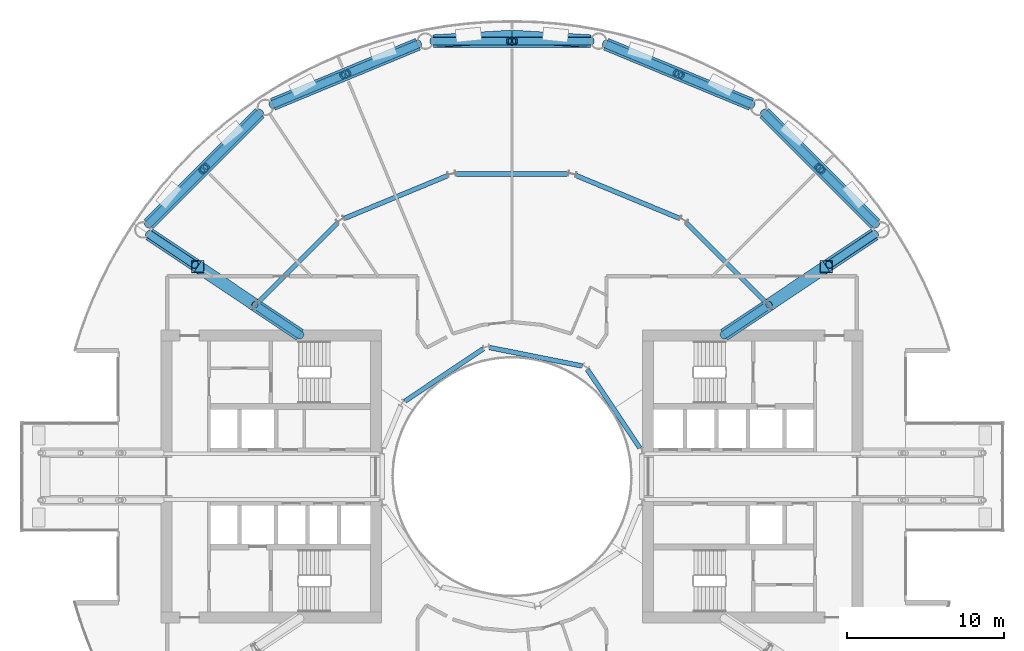
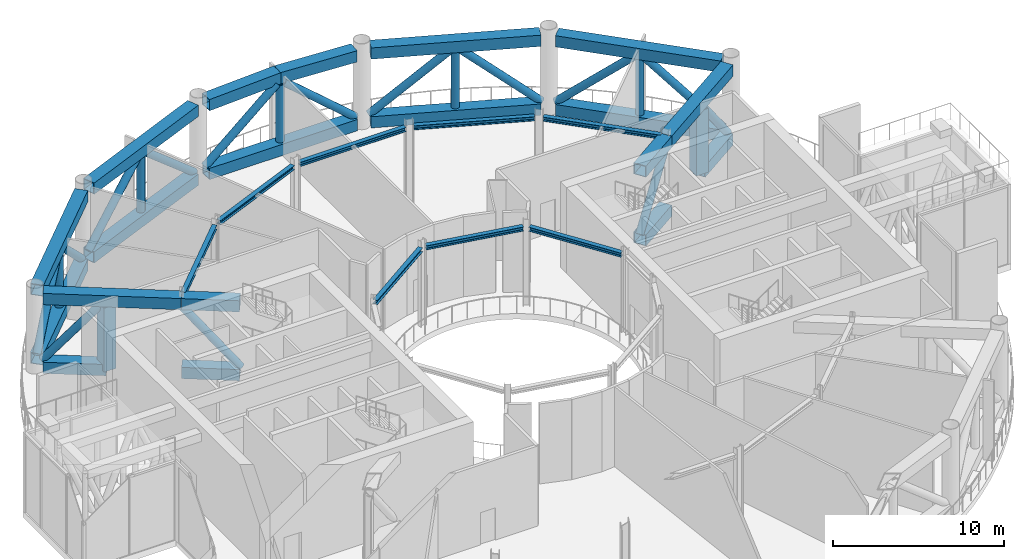
# One storey, part 9 of 23: 27 beams, 21 members.
"""IFC4 building model written with IfcOpenShell, lengths in metres."""

from ifc_helpers import new_model, si_unit, direction, frame, origin, origin_2d, place, context, subcontext, project, spatial, hollow_rectangle, hollow_circle, i_section, extrude, material, material_profile, profile_set, type_object, element, save


model = new_model("IFC4")

# Units and contexts
model_context = context("Model", 3, precision=1e-05, world=origin(), true_north=direction((0.0, 1.0)))
body_context = subcontext(model_context, "Body", "Model", "MODEL_VIEW")
ifc_project = project(units=[si_unit("LENGTHUNIT", "METRE"), si_unit("AREAUNIT", "SQUARE_METRE"), si_unit("VOLUMEUNIT", "CUBIC_METRE"), si_unit("PLANEANGLEUNIT", "RADIAN"), si_unit("MASSUNIT", "GRAM", prefix="KILO")], contexts=[model_context])

# Site, building, storey
site_placement = place(None, origin())
site = spatial("IfcSite", under=ifc_project, at=site_placement, CompositionType="ELEMENT")
building_placement = place(site_placement, origin())
building = spatial("IfcBuilding", under=site, at=building_placement, Name="Maasbend Ring Residences", CompositionType="ELEMENT")
storey_placement = place(building_placement, frame((0.0, 0.0, 97.14990234375)))
storey = spatial("IfcBuildingStorey", under=building, at=storey_placement, Name="L28", CompositionType="ELEMENT", Elevation=97.14990234375)

# Beams
ifc_material_1 = material(Name="Steel S460M", Category="steel")
ifc_material_profile_1 = material_profile(ifc_material_1, hollow_rectangle(XDim=0.800048828125, YDim=0.800048828125, WallThickness=0.0400390625, at=origin_2d()), Name="Belt truss chord BX 800x800x40")
ifc_profile_set_1 = profile_set([ifc_material_profile_1], Name="Steel S460M")
beam_type_1 = type_object("IfcBeamType", Name="Belt truss chord BX 800x800x40", PredefinedType="BEAM", material=ifc_profile_set_1)
for number, where, z_axis, x_axis, name in (
    (1, (23.088134765625, 16.0263671875, 0.400146484375), (-0.707106781187, 0.707106781187, 0.0), (-0.707106781187, -0.707106781187, 0.0), "Belt truss"),
    (2, (23.088134765625, 16.0263671875, 5.300048828125), (-0.707106781187, 0.707106781187, 0.0), (-0.707106781187, -0.707106781187, 0.0), "Belt truss"),
):
    element("IfcBeam", number, at=place(storey_placement, frame(where, z_axis=z_axis, x_axis=x_axis)), inside=storey, type_object=beam_type_1, Name=name, PredefinedType="BEAM", context=body_context, shape_type="SweptSolid", body=[
        extrude(hollow_rectangle(XDim=0.800048828125, YDim=0.800048828125, WallThickness=0.0400390625, at=origin_2d()), origin(), (0.0, 0.0, 1.0), 9.98681640625),
    ])
for number, where, z_axis, x_axis, name in (
    (3, (15.19775390625, 23.641845703125, 0.400146484375), (-0.923886337442, 0.382667003395, 0.0), (-0.382667003395, -0.923886337442, 0.0), "Belt truss"),
    (4, (15.19775390625, 23.641845703125, 5.300048828125), (-0.923886337442, 0.382667003395, 0.0), (-0.382667003395, -0.923886337442, 0.0), "Belt truss"),
):
    element("IfcBeam", number, at=place(storey_placement, frame(where, z_axis=z_axis, x_axis=x_axis)), inside=storey, type_object=beam_type_1, Name=name, PredefinedType="BEAM", context=body_context, shape_type="SweptSolid", body=[
        extrude(hollow_rectangle(XDim=0.800048828125, YDim=0.800048828125, WallThickness=0.0400390625, at=origin_2d()), origin(), (0.0, 0.0, 1.0), 9.9873046875),
    ])
beam_1_placement = place(storey_placement, frame((4.993408203125, 27.658203125, 0.400146484375), z_axis=(-1.0, 0.0, 0.0), x_axis=(0.0, -1.0, 0.0)))
element("IfcBeam", 5, at=beam_1_placement, inside=storey, type_object=beam_type_1, Name="Belt truss", PredefinedType="BEAM", context=body_context, shape_type="SweptSolid", body=[
    extrude(hollow_rectangle(XDim=0.800048828125, YDim=0.800048828125, WallThickness=0.0400390625, at=origin_2d()), origin(), (0.0, 0.0, 1.0), 9.98681640625),
])
for number, where, z_axis, x_axis, name in (
    (6, (4.993408203125, 27.658203125, 5.300048828125), (-0.998202452092, 0.059932166976, 0.0), (-0.059932166976, -0.998202452092, 0.0), "Belt truss"),
    (7, (0.0, 27.9580078125, 5.300048828125), (-0.998202452092, -0.059932166976, 0.0), (0.059932166976, -0.998202452092, 0.0), "Belt truss"),
):
    element("IfcBeam", number, at=place(storey_placement, frame(where, z_axis=z_axis, x_axis=x_axis)), inside=storey, type_object=beam_type_1, Name=name, PredefinedType="BEAM", context=body_context, shape_type="SweptSolid", body=[
        extrude(hollow_rectangle(XDim=0.800048828125, YDim=0.800048828125, WallThickness=0.0400390625, at=origin_2d()), origin(), (0.0, 0.0, 1.0), 5.00244140625),
    ])
for number, where, z_axis, x_axis, name in (
    (8, (-5.970703125, 27.463623046875, 0.400146484375), (-0.923886337442, -0.382667003395, 0.0), (0.382667003395, -0.923886337442, 0.0), "Belt truss"),
    (9, (-5.970703125, 27.463623046875, 5.300048828125), (-0.923886337442, -0.382667003395, 0.0), (0.382667003395, -0.923886337442, 0.0), "Belt truss"),
):
    element("IfcBeam", number, at=place(storey_placement, frame(where, z_axis=z_axis, x_axis=x_axis)), inside=storey, type_object=beam_type_1, Name=name, PredefinedType="BEAM", context=body_context, shape_type="SweptSolid", body=[
        extrude(hollow_rectangle(XDim=0.800048828125, YDim=0.800048828125, WallThickness=0.0400390625, at=origin_2d()), origin(), (0.0, 0.0, 1.0), 9.9873046875),
    ])
for number, where, z_axis, x_axis, name in (
    (10, (-16.0263671875, 23.088134765625, 0.400146484375), (-0.707106781187, -0.707106781187, 0.0), (0.707106781187, -0.707106781187, 0.0), "Belt truss"),
    (11, (-16.0263671875, 23.088134765625, 5.300048828125), (-0.707106781187, -0.707106781187, 0.0), (0.707106781187, -0.707106781187, 0.0), "Belt truss"),
):
    element("IfcBeam", number, at=place(storey_placement, frame(where, z_axis=z_axis, x_axis=x_axis)), inside=storey, type_object=beam_type_1, Name=name, PredefinedType="BEAM", context=body_context, shape_type="SweptSolid", body=[
        extrude(hollow_rectangle(XDim=0.800048828125, YDim=0.800048828125, WallThickness=0.0400390625, at=origin_2d()), origin(), (0.0, 0.0, 1.0), 9.98681640625),
    ])

# Members
ifc_material_2 = material(Name="Steel S460NH", Category="steel")
ifc_material_profile_2 = material_profile(ifc_material_2, hollow_circle(Radius=0.25390625, WallThickness=0.02490234375, at=origin_2d()), Name="Belt truss diagonal CHS 508x25")
ifc_profile_set_2 = profile_set([ifc_material_profile_2], Name="Steel S460NH")
member_type_1 = type_object("IfcMemberType", Name="Belt truss diagonal CHS 508x25", PredefinedType="BRACE", material=ifc_profile_set_2)
for number, where, z_axis, x_axis, name in (
    (12, (23.129150390625, 15.9853515625, 0.75), (-0.53476676586, 0.53476676586, 0.654254546995), (-0.707106781187, -0.707106781187, 0.0), "Belt truss diagonal"),
    (13, (19.41845703125, 19.696044921875, 4.9501953125), (-0.53476676586, 0.53476676586, -0.654254546995), (-0.707106781187, -0.707106781187, 0.0), "Belt truss diagonal"),
    (14, (15.251220703125, 23.61962890625, 0.75), (-0.698703236412, 0.289437235744, 0.65424756323), (-0.382711511298, -0.923867901337, 0.0), "Belt truss diagonal"),
    (15, (10.403076171875, 25.627685546875, 4.9501953125), (-0.698703236412, 0.289437235744, -0.65424756323), (-0.382711511298, -0.923867901337, 0.0), "Belt truss diagonal"),
):
    element("IfcMember", number, at=place(storey_placement, frame(where, z_axis=z_axis, x_axis=x_axis)), inside=storey, type_object=member_type_1, Name=name, PredefinedType="BRACE", context=body_context, shape_type="SweptSolid", body=[
        extrude(hollow_circle(Radius=0.25390625, WallThickness=0.02490234375, at=origin_2d()), origin(), (0.0, 0.0, 1.0), 6.419921875),
    ])
for number, where, z_axis, x_axis, name in (
    (16, (5.05126953125, 27.658203125, 0.75), (-0.756263488028, 0.0, 0.654267175301), (0.0, -1.0, 0.0), "Belt truss diagonal"),
    (17, (-0.1962890625, 27.658203125, 4.9501953125), (-0.756263488028, 0.0, -0.654267175301), (0.0, -1.0, 0.0), "Belt truss diagonal"),
):
    element("IfcMember", number, at=place(storey_placement, frame(where, z_axis=z_axis, x_axis=x_axis)), inside=storey, type_object=member_type_1, Name=name, PredefinedType="BRACE", context=body_context, shape_type="SweptSolid", body=[
        extrude(hollow_circle(Radius=0.25390625, WallThickness=0.02490234375, at=origin_2d()), origin(), (0.0, 0.0, 1.0), 6.419677734375),
    ])
for number, where, z_axis, x_axis, name in (
    (18, (-5.91748046875, 27.48583984375, 0.75), (-0.698703236412, -0.289437235744, 0.65424756323), (0.382711511298, -0.923867901337, 0.0), "Belt truss diagonal"),
    (19, (-10.765625, 25.477783203125, 4.9501953125), (-0.698703236412, -0.289437235744, -0.65424756323), (0.382711511298, -0.923867901337, 0.0), "Belt truss diagonal"),
    (20, (-15.9853515625, 23.129150390625, 0.75), (-0.53476676586, -0.53476676586, 0.654254546995), (0.707106781187, -0.707106781187, 0.0), "Belt truss diagonal"),
    (21, (-19.696044921875, 19.41845703125, 4.9501953125), (-0.53476676586, -0.53476676586, -0.654254546995), (0.707106781187, -0.707106781187, 0.0), "Belt truss diagonal"),
):
    element("IfcMember", number, at=place(storey_placement, frame(where, z_axis=z_axis, x_axis=x_axis)), inside=storey, type_object=member_type_1, Name=name, PredefinedType="BRACE", context=body_context, shape_type="SweptSolid", body=[
        extrude(hollow_circle(Radius=0.25390625, WallThickness=0.02490234375, at=origin_2d()), origin(), (0.0, 0.0, 1.0), 6.419921875),
    ])
ifc_material_3 = material(Name="Steel S460NH", Category="steel")
ifc_material_profile_3 = material_profile(ifc_material_3, hollow_circle(Radius=0.25390625, WallThickness=0.01611328125, at=origin_2d()), Name="Belt truss post CHS 508x16")
ifc_profile_set_3 = profile_set([ifc_material_profile_3], Name="Steel S460NH")
member_type_2 = type_object("IfcMemberType", Name="Belt truss post CHS 508x16", PredefinedType="POST", material=ifc_profile_set_3)
for number, where, z_axis, x_axis, name in (
    (22, (19.55712890625, 19.55712890625, 0.800048828125), (0.0, 0.0, 1.0), (1.0, 0.0, 0.0), "Belt truss post"),
    (23, (10.584228515625, 25.552734375, 0.800048828125), (0.0, 0.0, 1.0), (1.0, 0.0, 0.0), "Belt truss post"),
    (24, (0.0, 27.658203125, 0.800048828125), (0.0, 0.0, 1.0), (1.0, 0.0, 0.0), "Belt truss post"),
    (25, (-10.584228515625, 25.552734375, 0.800048828125), (0.0, 0.0, 1.0), (1.0, 0.0, 0.0), "Belt truss post"),
    (26, (-19.55712890625, 19.55712890625, 0.800048828125), (0.0, 0.0, 1.0), (1.0, 0.0, 0.0), "Belt truss post"),
):
    element("IfcMember", number, at=place(storey_placement, frame(where, z_axis=z_axis, x_axis=x_axis)), inside=storey, type_object=member_type_2, Name=name, PredefinedType="POST", context=body_context, shape_type="SweptSolid", body=[
        extrude(hollow_circle(Radius=0.25390625, WallThickness=0.01611328125, at=origin_2d()), origin(), (0.0, 0.0, 1.0), 4.10009765625),
    ])

# Beams
ifc_material_4 = material(Name="Steel S355J2", Category="steel")
ifc_material_profile_4 = material_profile(ifc_material_4, i_section(OverallWidth=0.300048828125, OverallDepth=0.300048828125, WebThickness=0.010986328125, FlangeThickness=0.01904296875, FilletRadius=0.027099609375, at=origin_2d()), Name="HEB 300")
ifc_profile_set_4 = profile_set([ifc_material_profile_4], Name="Steel S355J2")
beam_type_2 = type_object("IfcBeamType", Name="Corridor ring beam HEB 300", PredefinedType="BEAM", material=ifc_profile_set_4)
for number, where, z_axis, x_axis, name in (
    (27, (16.10791015625, 11.078125, 5.550048828125), (-0.707106781187, 0.707106781187, 0.0), (-0.707106781187, -0.707106781187, 0.0), "Corridor ring beam"),
    (28, (10.642333984375, 16.39892578125, 5.550048828125), (-0.923877113721, 0.382689271788, 0.0), (-0.382689271788, -0.923877113721, 0.0), "Corridor ring beam"),
    (29, (3.556640625, 19.223388671875, 5.550048828125), (-1.0, 0.0, 0.0), (0.0, -1.0, 0.0), "Corridor ring beam"),
    (30, (-4.070556640625, 19.12109375, 5.550048828125), (-0.923877113721, -0.382689271788, 0.0), (0.382689271788, -0.923877113721, 0.0), "Corridor ring beam"),
    (31, (-11.078125, 16.10791015625, 5.550048828125), (-0.707106781187, -0.707106781187, 0.0), (0.707106781187, -0.707106781187, 0.0), "Corridor ring beam"),
):
    element("IfcBeam", number, at=place(storey_placement, frame(where, z_axis=z_axis, x_axis=x_axis)), inside=storey, type_object=beam_type_2, Name=name, PredefinedType="BEAM", context=body_context, shape_type="SweptSolid", body=[
        extrude(i_section(OverallWidth=0.300048828125, OverallDepth=0.300048828125, WebThickness=0.010986328125, FlangeThickness=0.01904296875, FilletRadius=0.027099609375, at=origin_2d()), origin(), (0.0, 0.0, 1.0), 7.11328125),
    ])
ifc_material_5 = material(Name="Steel S460M", Category="steel")
ifc_material_profile_5 = material_profile(ifc_material_5, hollow_rectangle(XDim=0.800048828125, YDim=0.800048828125, WallThickness=0.0400390625, at=origin_2d()), Name="Outrigger truss chord BX 800x800x40")
ifc_profile_set_5 = profile_set([ifc_material_profile_5], Name="Steel S460M")
beam_type_3 = type_object("IfcBeamType", Name="Outrigger truss chord BX 800x800x40", PredefinedType="BEAM", material=ifc_profile_set_5)
beam_2_placement = place(storey_placement, frame((23.02490234375, 15.385009765625, 0.400146484375), z_axis=(-0.83143805452, -0.555617459676, 0.0), x_axis=(0.555617459676, -0.83143805452, 0.0)))
element("IfcBeam", 32, at=beam_2_placement, inside=storey, type_object=beam_type_3, Name="Outrigger truss", PredefinedType="BEAM", context=body_context, shape_type="SweptSolid", body=[
    extrude(hollow_rectangle(XDim=0.800048828125, YDim=0.800048828125, WallThickness=0.0400390625, at=origin_2d()), origin(), (0.0, 0.0, 1.0), 3.68408203125),
])
beam_3_placement = place(storey_placement, frame((23.02490234375, 15.385009765625, 5.300048828125), z_axis=(-0.831450444505, -0.555598918585, 0.0), x_axis=(0.555598918585, -0.831450444505, 0.0)))
element("IfcBeam", 33, at=beam_3_placement, inside=storey, type_object=beam_type_3, Name="Outrigger truss", PredefinedType="BEAM", context=body_context, shape_type="SweptSolid", body=[
    extrude(hollow_rectangle(XDim=0.800048828125, YDim=0.800048828125, WallThickness=0.0400390625, at=origin_2d()), origin(), (0.0, 0.0, 1.0), 8.083984375),
])
for number, where, z_axis, x_axis, name in (
    (34, (16.2900390625, 10.884765625, 0.400146484375), (-0.831451918965, -0.555596712058, 0.0), (0.555596712058, -0.831451918965, 0.0), "Outrigger truss"),
    (35, (16.2900390625, 10.884765625, 5.300048828125), (-0.831451918965, -0.555596712058, 0.0), (0.555596712058, -0.831451918965, 0.0), "Outrigger truss"),
):
    element("IfcBeam", number, at=place(storey_placement, frame(where, z_axis=z_axis, x_axis=x_axis)), inside=storey, type_object=beam_type_3, Name=name, PredefinedType="BEAM", context=body_context, shape_type="SweptSolid", body=[
        extrude(hollow_rectangle(XDim=0.800048828125, YDim=0.800048828125, WallThickness=0.0400390625, at=origin_2d()), origin(), (0.0, 0.0, 1.0), 3.392333984375),
    ])
beam_4_placement = place(storey_placement, frame((-23.02490234375, 15.385009765625, 0.400146484375), z_axis=(0.83143805452, -0.555617459676, 0.0), x_axis=(0.555617459676, 0.83143805452, 0.0)))
element("IfcBeam", 36, at=beam_4_placement, inside=storey, type_object=beam_type_3, Name="Outrigger truss", PredefinedType="BEAM", context=body_context, shape_type="SweptSolid", body=[
    extrude(hollow_rectangle(XDim=0.800048828125, YDim=0.800048828125, WallThickness=0.0400390625, at=origin_2d()), origin(), (0.0, 0.0, 1.0), 3.68408203125),
])
beam_5_placement = place(storey_placement, frame((-23.02490234375, 15.385009765625, 5.300048828125), z_axis=(0.831450444505, -0.555598918585, 0.0), x_axis=(0.555598918585, 0.831450444505, 0.0)))
element("IfcBeam", 37, at=beam_5_placement, inside=storey, type_object=beam_type_3, Name="Outrigger truss", PredefinedType="BEAM", context=body_context, shape_type="SweptSolid", body=[
    extrude(hollow_rectangle(XDim=0.800048828125, YDim=0.800048828125, WallThickness=0.0400390625, at=origin_2d()), origin(), (0.0, 0.0, 1.0), 8.083984375),
])
for number, where, z_axis, x_axis, name in (
    (38, (-16.2900390625, 10.884765625, 0.400146484375), (0.831451918965, -0.555596712058, 0.0), (0.555596712058, 0.831451918965, 0.0), "Outrigger truss"),
    (39, (-16.2900390625, 10.884765625, 5.300048828125), (0.831451918965, -0.555596712058, 0.0), (0.555596712058, 0.831451918965, 0.0), "Outrigger truss"),
):
    element("IfcBeam", number, at=place(storey_placement, frame(where, z_axis=z_axis, x_axis=x_axis)), inside=storey, type_object=beam_type_3, Name=name, PredefinedType="BEAM", context=body_context, shape_type="SweptSolid", body=[
        extrude(hollow_rectangle(XDim=0.800048828125, YDim=0.800048828125, WallThickness=0.0400390625, at=origin_2d()), origin(), (0.0, 0.0, 1.0), 3.392333984375),
    ])

# Members
ifc_material_6 = material(Name="Steel S460NH", Category="steel")
ifc_material_profile_6 = material_profile(ifc_material_6, hollow_circle(Radius=0.25390625, WallThickness=0.02490234375, at=origin_2d()), Name="Outrigger truss diagonal CHS 508x25")
ifc_profile_set_6 = profile_set([ifc_material_profile_6], Name="Steel S460NH")
member_type_3 = type_object("IfcMemberType", Name="Outrigger truss diagonal CHS 508x25", PredefinedType="BRACE", material=ifc_profile_set_6)
member_1_placement = place(storey_placement, frame((23.059814453125, 15.408203125, 0.75), z_axis=(-0.533517077926, -0.356480534394, 0.766994886658), x_axis=(0.555565729275, -0.831472621591, 0.0)))
element("IfcMember", 40, at=member_1_placement, inside=storey, type_object=member_type_3, Name="Outrigger truss diagonal", PredefinedType="BRACE", context=body_context, shape_type="SweptSolid", body=[
    extrude(hollow_circle(Radius=0.25390625, WallThickness=0.02490234375, at=origin_2d()), origin(), (0.0, 0.0, 1.0), 5.47607421875),
])
member_2_placement = place(storey_placement, frame((16.324462890625, 10.90771484375, 4.9501953125), z_axis=(-0.530029775018, -0.354159312281, -0.770480122468), x_axis=(0.555575372709, -0.831466178049, 0.0)))
element("IfcMember", 41, at=member_2_placement, inside=storey, type_object=member_type_3, Name="Outrigger truss diagonal", PredefinedType="BRACE", context=body_context, shape_type="SweptSolid", body=[
    extrude(hollow_circle(Radius=0.25390625, WallThickness=0.02490234375, at=origin_2d()), origin(), (0.0, 0.0, 1.0), 5.451416015625),
])
member_3_placement = place(storey_placement, frame((-23.059814453125, 15.408203125, 0.75), z_axis=(0.533517077926, -0.356480534394, 0.766994886658), x_axis=(0.555565729275, 0.831472621591, 0.0)))
element("IfcMember", 42, at=member_3_placement, inside=storey, type_object=member_type_3, Name="Outrigger truss diagonal", PredefinedType="BRACE", context=body_context, shape_type="SweptSolid", body=[
    extrude(hollow_circle(Radius=0.25390625, WallThickness=0.02490234375, at=origin_2d()), origin(), (0.0, 0.0, 1.0), 5.47607421875),
])
member_4_placement = place(storey_placement, frame((-16.324462890625, 10.90771484375, 4.9501953125), z_axis=(0.530029775018, -0.354159312281, -0.770480122468), x_axis=(0.555575372709, 0.831466178049, 0.0)))
element("IfcMember", 43, at=member_4_placement, inside=storey, type_object=member_type_3, Name="Outrigger truss diagonal", PredefinedType="BRACE", context=body_context, shape_type="SweptSolid", body=[
    extrude(hollow_circle(Radius=0.25390625, WallThickness=0.02490234375, at=origin_2d()), origin(), (0.0, 0.0, 1.0), 5.451416015625),
])
ifc_material_7 = material(Name="Steel S460M", Category="steel")
ifc_material_profile_7 = material_profile(ifc_material_7, hollow_rectangle(XDim=0.800048828125, YDim=0.800048828125, WallThickness=0.0400390625, at=origin_2d()), Name="Outrigger truss post BX 800x800x40")
ifc_profile_set_7 = profile_set([ifc_material_profile_7], Name="Steel S460M")
member_type_4 = type_object("IfcMemberType", Name="Outrigger truss post BX 800x800x40", PredefinedType="POST", material=ifc_profile_set_7)
for number, where, z_axis, x_axis, name in (
    (44, (19.9619140625, 13.338134765625, 0.35009765625), (0.0, 0.0, 1.0), (1.0, 0.0, 0.0), "Outrigger truss post"),
    (45, (-19.9619140625, 13.338134765625, 0.35009765625), (0.0, 0.0, 1.0), (1.0, 0.0, 0.0), "Outrigger truss post"),
):
    element("IfcMember", number, at=place(storey_placement, frame(where, z_axis=z_axis, x_axis=x_axis)), inside=storey, type_object=member_type_4, Name=name, PredefinedType="POST", context=body_context, shape_type="SweptSolid", body=[
        extrude(hollow_rectangle(XDim=0.800048828125, YDim=0.800048828125, WallThickness=0.0400390625, at=origin_2d()), origin(), (0.0, 0.0, 1.0), 4.550048828125),
    ])

# Beams
ifc_material_8 = material(Name="Steel S355J2", Category="steel")
ifc_material_profile_8 = material_profile(ifc_material_8, i_section(OverallWidth=0.300048828125, OverallDepth=0.300048828125, WebThickness=0.010986328125, FlangeThickness=0.01904296875, FilletRadius=0.027099609375, at=origin_2d()), Name="HEB 300")
ifc_profile_set_8 = profile_set([ifc_material_profile_8], Name="Steel S355J2")
beam_type_4 = type_object("IfcBeamType", Name="Well edge beam HEB 300", PredefinedType="BEAM", material=ifc_profile_set_8)
beam_6_placement = place(storey_placement, frame((8.118408203125, 1.81884765625, 5.550048828125), z_axis=(-0.555592533493, 0.83145471117, 0.0), x_axis=(-0.83145471117, -0.555592533493, 0.0)))
element("IfcBeam", 46, at=beam_6_placement, inside=storey, type_object=beam_type_4, Name="Well edge beam", PredefinedType="BEAM", context=body_context, shape_type="SweptSolid", body=[
    extrude(i_section(OverallWidth=0.300048828125, OverallDepth=0.300048828125, WebThickness=0.010986328125, FlangeThickness=0.01904296875, FilletRadius=0.027099609375, at=origin_2d()), origin(), (0.0, 0.0, 1.0), 5.995849609375),
])
beam_7_placement = place(storey_placement, frame((4.45458984375, 7.026611328125, 5.550048828125), z_axis=(-0.980789954577, 0.195066821885, 0.0), x_axis=(-0.195066821885, -0.980789954577, 0.0)))
element("IfcBeam", 47, at=beam_7_placement, inside=storey, type_object=beam_type_4, Name="Well edge beam", PredefinedType="BEAM", context=body_context, shape_type="SweptSolid", body=[
    extrude(i_section(OverallWidth=0.300048828125, OverallDepth=0.300048828125, WebThickness=0.010986328125, FlangeThickness=0.01904296875, FilletRadius=0.027099609375, at=origin_2d()), origin(), (0.0, 0.0, 1.0), 5.996337890625),
])
beam_8_placement = place(storey_placement, frame((-1.81884765625, 8.118408203125, 5.550048828125), z_axis=(-0.83145471117, -0.555592533493, 0.0), x_axis=(0.555592533493, -0.83145471117, 0.0)))
element("IfcBeam", 48, at=beam_8_placement, inside=storey, type_object=beam_type_4, Name="Well edge beam", PredefinedType="BEAM", context=body_context, shape_type="SweptSolid", body=[
    extrude(i_section(OverallWidth=0.300048828125, OverallDepth=0.300048828125, WebThickness=0.010986328125, FlangeThickness=0.01904296875, FilletRadius=0.027099609375, at=origin_2d()), origin(), (0.0, 0.0, 1.0), 5.995849609375),
])

save(model, "model.ifc")
